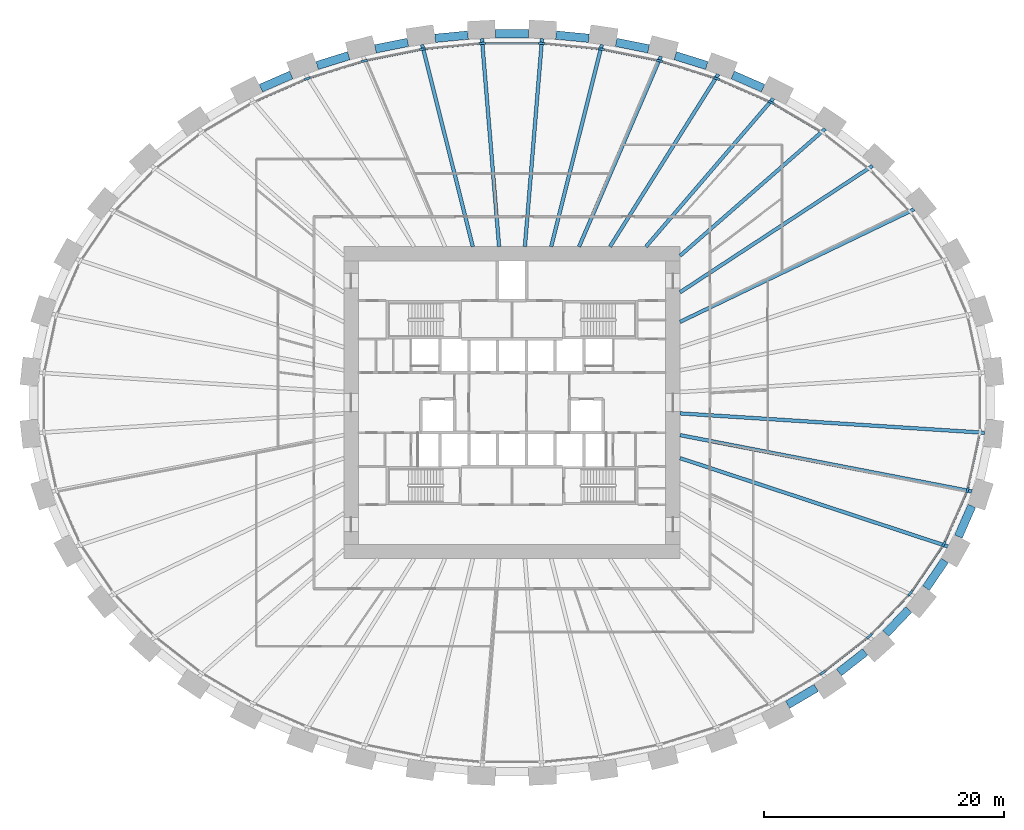
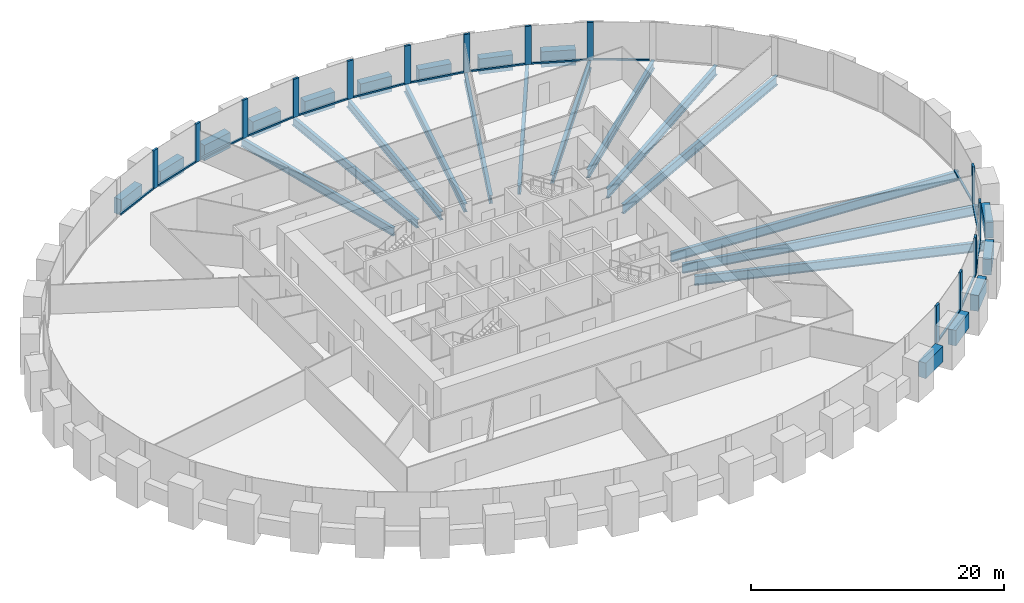
# One storey, part 3 of 11: 29 members, 27 beams, 1 element without a shape of its own.
"""IFC4 building model written with IfcOpenShell, lengths in metres."""

from ifc_helpers import new_model, si_unit, direction, frame, origin, origin_2d, place, context, subcontext, project, spatial, rectangle, i_section, extrude, source, transform, mapped, material, material_profile, profile_set, type_object, element, aggregate, save


model = new_model("IFC4")

# Units and contexts
model_context = context("Model", 3, precision=1e-05, world=origin(), true_north=direction((0.0, 1.0)))
body_context = subcontext(model_context, "Body", "Model", "MODEL_VIEW")
ifc_project = project(units=[si_unit("LENGTHUNIT", "METRE"), si_unit("AREAUNIT", "SQUARE_METRE"), si_unit("VOLUMEUNIT", "CUBIC_METRE"), si_unit("PLANEANGLEUNIT", "RADIAN"), si_unit("MASSUNIT", "GRAM", prefix="KILO")], contexts=[model_context])

# Site, building, storey
site_placement = place(None, origin())
site = spatial("IfcSite", under=ifc_project, at=site_placement, CompositionType="ELEMENT")
building_placement = place(site_placement, origin())
building = spatial("IfcBuilding", under=site, at=building_placement, Name="Embergate Tower", CompositionType="ELEMENT")
storey_placement = place(building_placement, frame((0.0, 0.0, 109.39990234375)))
storey = spatial("IfcBuildingStorey", under=building, at=storey_placement, Name="L23", CompositionType="ELEMENT", Elevation=109.39990234375)

# Beams
ifc_material_1 = material(Name="Concrete C70", Category="concrete")
ifc_material_profile_1 = material_profile(ifc_material_1, rectangle(XDim=0.699951171875, YDim=1.5, at=origin_2d()), Name="RC 700x1500")
ifc_profile_set_1 = profile_set([ifc_material_profile_1], Name="Concrete C70")
beam_type_1 = type_object("IfcBeamType", Name="Spandrel beam RC 700x1500 C70", PredefinedType="BEAM", material=ifc_profile_set_1)
shared_shape_1 = source(origin(), body_context, "Body", "SweptSolid", [
    extrude(rectangle(XDim=0.699951171875, YDim=1.5, at=origin_2d()), origin(), (0.0, 0.0, 1.0), 2.78564453125),
])
beam_1_placement = place(storey_placement, frame((37.193115234375, -11.14892578125, 0.0), z_axis=(0.401669232295, 0.915784815242, 0.0), x_axis=(-0.915784815242, 0.401669232295, 0.0)))
element("IfcBeam", 1, at=beam_1_placement, inside=storey, type_object=beam_type_1, Name="SPN-L23-41", PredefinedType="BEAM", context=body_context, shape_type="MappedRepresentation", body=[
    mapped(shared_shape_1, transform((0.0, 0.0, 0.0))),
])
shared_shape_2 = source(origin(), body_context, "Body", "SweptSolid", [
    extrude(rectangle(XDim=0.699951171875, YDim=1.5, at=origin_2d()), origin(), (0.0, 0.0, 1.0), 2.775634765625),
])
beam_2_placement = place(storey_placement, frame((34.5009765625, -15.447021484375, 0.0), z_axis=(0.562430313872, 0.826844690397, 0.0), x_axis=(-0.826844690397, 0.562430313872, 0.0)))
element("IfcBeam", 2, at=beam_2_placement, inside=storey, type_object=beam_type_1, Name="SPN-L23-40", PredefinedType="BEAM", context=body_context, shape_type="MappedRepresentation", body=[
    mapped(shared_shape_2, transform((0.0, 0.0, 0.0))),
])
shared_shape_3 = source(origin(), body_context, "Body", "SweptSolid", [
    extrude(rectangle(XDim=0.699951171875, YDim=1.5, at=origin_2d()), origin(), (0.0, 0.0, 1.0), 2.770263671875),
])
beam_3_placement = place(storey_placement, frame((31.14404296875, -19.241943359375, 0.0), z_axis=(0.690119345663, 0.723695577395, 0.0), x_axis=(-0.723695577395, 0.690119345663, 0.0)))
element("IfcBeam", 3, at=beam_3_placement, inside=storey, type_object=beam_type_1, Name="SPN-L23-39", PredefinedType="BEAM", context=body_context, shape_type="MappedRepresentation", body=[
    mapped(shared_shape_3, transform((0.0, 0.0, 0.0))),
])
shared_shape_4 = source(origin(), body_context, "Body", "SweptSolid", [
    extrude(rectangle(XDim=0.699951171875, YDim=1.5, at=origin_2d()), origin(), (0.0, 0.0, 1.0), 2.762939453125),
])
beam_4_placement = place(storey_placement, frame((27.248046875, -22.470947265625, 0.0), z_axis=(0.788304284462, 0.615285588242, 0.0), x_axis=(-0.615285588242, 0.788304284462, 0.0)))
element("IfcBeam", 4, at=beam_4_placement, inside=storey, type_object=beam_type_1, Name="SPN-L23-38", PredefinedType="BEAM", context=body_context, shape_type="MappedRepresentation", body=[
    mapped(shared_shape_4, transform((0.0, 0.0, 0.0))),
])
shared_shape_5 = source(origin(), body_context, "Body", "SweptSolid", [
    extrude(rectangle(XDim=0.699951171875, YDim=1.5, at=origin_2d()), origin(), (0.0, 0.0, 1.0), 2.758544921875),
])
beam_5_placement = place(storey_placement, frame((22.968017578125, -25.162109375, 0.0), z_axis=(0.862027482261, 0.506861539108, 0.0), x_axis=(-0.506861539108, 0.862027482261, 0.0)))
element("IfcBeam", 5, at=beam_5_placement, inside=storey, type_object=beam_type_1, Name="SPN-L23-37", PredefinedType="BEAM", context=body_context, shape_type="MappedRepresentation", body=[
    mapped(shared_shape_5, transform((0.0, 0.0, 0.0))),
])
shared_shape_6 = source(origin(), body_context, "Body", "SweptSolid", [
    extrude(rectangle(XDim=0.699951171875, YDim=1.5, at=origin_2d()), origin(), (0.0, 0.0, 1.0), 2.75537109375),
])
for number, where, z_axis, x_axis, name in (
    (6, (20.9189453125, 26.2080078125, 0.0), (-0.916372764163, 0.400326063478, 0.0), (-0.400326063478, -0.916372764163, 0.0), "SPN-L23-06"),
    (7, (-18.39404296875, 27.31103515625, 0.0), (-0.916372764163, -0.400326063478, 0.0), (0.400326063478, -0.916372764163, 0.0), "SPN-L23-14"),
):
    element("IfcBeam", number, at=place(storey_placement, frame(where, z_axis=z_axis, x_axis=x_axis)), inside=storey, type_object=beam_type_1, Name=name, PredefinedType="BEAM", context=body_context, shape_type="MappedRepresentation", body=[
        mapped(shared_shape_6, transform((0.0, 0.0, 0.0))),
    ])
shared_shape_7 = source(origin(), body_context, "Body", "SweptSolid", [
    extrude(rectangle(XDim=0.699951171875, YDim=1.5, at=origin_2d()), origin(), (0.0, 0.0, 1.0), 2.750732421875),
])
for number, where, z_axis, x_axis, name in (
    (8, (16.23193359375, 28.095947265625, 0.0), (-0.954637769475, 0.297769590609, 0.0), (-0.297769590609, -0.954637769475, 0.0), "SPN-L23-07"),
    (9, (-13.60595703125, 28.9150390625, 0.0), (-0.954637769475, -0.297769590609, 0.0), (0.297769590609, -0.954637769475, 0.0), "SPN-L23-13"),
):
    element("IfcBeam", number, at=place(storey_placement, frame(where, z_axis=z_axis, x_axis=x_axis)), inside=storey, type_object=beam_type_1, Name=name, PredefinedType="BEAM", context=body_context, shape_type="MappedRepresentation", body=[
        mapped(shared_shape_7, transform((0.0, 0.0, 0.0))),
    ])
shared_shape_8 = source(origin(), body_context, "Body", "SweptSolid", [
    extrude(rectangle(XDim=0.699951171875, YDim=1.5, at=origin_2d()), origin(), (0.0, 0.0, 1.0), 2.749755859375),
])
for number, where, z_axis, x_axis, name in (
    (10, (11.376953125, 29.48291015625, 0.0), (-0.98045412413, 0.196747834743, 0.0), (-0.196747834743, -0.98045412413, 0.0), "SPN-L23-08"),
    (11, (-8.680908203125, 30.02392578125, 0.0), (-0.98045412413, -0.196747834743, 0.0), (0.196747834743, -0.98045412413, 0.0), "SPN-L23-12"),
):
    element("IfcBeam", number, at=place(storey_placement, frame(where, z_axis=z_axis, x_axis=x_axis)), inside=storey, type_object=beam_type_1, Name=name, PredefinedType="BEAM", context=body_context, shape_type="MappedRepresentation", body=[
        mapped(shared_shape_8, transform((0.0, 0.0, 0.0))),
    ])
shared_shape_9 = source(origin(), body_context, "Body", "SweptSolid", [
    extrude(rectangle(XDim=0.699951171875, YDim=1.5, at=origin_2d()), origin(), (0.0, 0.0, 1.0), 2.748291015625),
])
for number, where, z_axis, x_axis, name in (
    (12, (6.406005859375, 30.363037109375, 0.0), (-0.995196843386, 0.097894039223, 0.0), (-0.097894039223, -0.995196843386, 0.0), "SPN-L23-09"),
    (13, (-3.6708984375, 30.632080078125, 0.0), (-0.995196843386, -0.097894039223, 0.0), (0.097894039223, -0.995196843386, 0.0), "SPN-L23-11"),
):
    element("IfcBeam", number, at=place(storey_placement, frame(where, z_axis=z_axis, x_axis=x_axis)), inside=storey, type_object=beam_type_1, Name=name, PredefinedType="BEAM", context=body_context, shape_type="MappedRepresentation", body=[
        mapped(shared_shape_9, transform((0.0, 0.0, 0.0))),
    ])
shared_shape_10 = source(origin(), body_context, "Body", "SweptSolid", [
    extrude(rectangle(XDim=0.699951171875, YDim=1.5, at=origin_2d()), origin(), (0.0, 0.0, 1.0), 2.748046875),
])
beam_6_placement = place(storey_placement, frame((1.3740234375, 30.7451171875, 0.0), z_axis=(-1.0, 0.0, 0.0), x_axis=(0.0, -1.0, 0.0)))
element("IfcBeam", 14, at=beam_6_placement, inside=storey, type_object=beam_type_1, Name="SPN-L23-10", PredefinedType="BEAM", context=body_context, shape_type="MappedRepresentation", body=[
    mapped(shared_shape_10, transform((0.0, 0.0, 0.0))),
])
ifc_material_2 = material(Name="Steel Q355B", Category="steel")
ifc_material_profile_2 = material_profile(ifc_material_2, i_section(OverallWidth=0.300048828125, OverallDepth=0.89990234375, WebThickness=0.01611328125, FlangeThickness=0.028076171875, FilletRadius=0.028076171875, at=origin_2d()), Name="HN 900x300x16x28")
ifc_profile_set_2 = profile_set([ifc_material_profile_2], Name="Steel Q355 grade B")
beam_type_2 = type_object("IfcBeamType", Name="Radial girder HN 900x300x16x28", PredefinedType="BEAM", material=ifc_profile_set_2)
shared_shape_11 = source(origin(), body_context, "Body", "SweptSolid", [
    extrude(i_section(OverallWidth=0.300048828125, OverallDepth=0.89990234375, WebThickness=0.01611328125, FlangeThickness=0.028076171875, FilletRadius=0.028076171875, at=origin_2d()), origin(), (0.0, 0.0, 1.0), 25.43115234375),
])
beam_7_placement = place(storey_placement, frame((39.3798828125, -2.501953125, -0.64990234375), z_axis=(-0.997986432318, 0.063427761344, 0.0), x_axis=(-0.063427761344, -0.997986432318, 0.0)))
element("IfcBeam", 15, at=beam_7_placement, inside=storey, type_object=beam_type_2, Name="GIR-L23-43", PredefinedType="BEAM", context=body_context, shape_type="MappedRepresentation", body=[
    mapped(shared_shape_11, transform((0.0, 0.0, 0.0))),
])
shared_shape_12 = source(origin(), body_context, "Body", "SweptSolid", [
    extrude(i_section(OverallWidth=0.300048828125, OverallDepth=0.89990234375, WebThickness=0.01611328125, FlangeThickness=0.028076171875, FilletRadius=0.028076171875, at=origin_2d()), origin(), (0.0, 0.0, 1.0), 24.775390625),
])
beam_8_placement = place(storey_placement, frame((38.326904296875, -7.39404296875, -0.64990234375), z_axis=(-0.981895013442, 0.189425929, 0.0), x_axis=(-0.189425929, -0.981895013442, 0.0)))
element("IfcBeam", 16, at=beam_8_placement, inside=storey, type_object=beam_type_2, Name="GIR-L23-42", PredefinedType="BEAM", context=body_context, shape_type="MappedRepresentation", body=[
    mapped(shared_shape_12, transform((0.0, 0.0, 0.0))),
])
shared_shape_13 = source(origin(), body_context, "Body", "SweptSolid", [
    extrude(i_section(OverallWidth=0.300048828125, OverallDepth=0.89990234375, WebThickness=0.01611328125, FlangeThickness=0.028076171875, FilletRadius=0.028076171875, at=origin_2d()), origin(), (0.0, 0.0, 1.0), 23.499267578125),
])
beam_9_placement = place(storey_placement, frame((36.31689453125, -11.97705078125, -0.64990234375), z_axis=(-0.949685213061, 0.31320599626, 0.0), x_axis=(-0.31320599626, -0.949685213061, 0.0)))
element("IfcBeam", 17, at=beam_9_placement, inside=storey, type_object=beam_type_2, Name="GIR-L23-41", PredefinedType="BEAM", context=body_context, shape_type="MappedRepresentation", body=[
    mapped(shared_shape_13, transform((0.0, 0.0, 0.0))),
])
shared_shape_14 = source(origin(), body_context, "Body", "SweptSolid", [
    extrude(i_section(OverallWidth=0.300048828125, OverallDepth=0.89990234375, WebThickness=0.01611328125, FlangeThickness=0.028076171875, FilletRadius=0.028076171875, at=origin_2d()), origin(), (0.0, 0.0, 1.0), 21.641357421875),
])
beam_10_placement = place(storey_placement, frame((33.501953125, 16.116943359375, -0.64990234375), z_axis=(-0.901145989674, -0.433515749765, 0.0), x_axis=(0.433515749765, -0.901145989674, 0.0)))
element("IfcBeam", 18, at=beam_10_placement, inside=storey, type_object=beam_type_2, Name="GIR-L23-03", PredefinedType="BEAM", context=body_context, shape_type="MappedRepresentation", body=[
    mapped(shared_shape_14, transform((0.0, 0.0, 0.0))),
])
shared_shape_15 = source(origin(), body_context, "Body", "SweptSolid", [
    extrude(i_section(OverallWidth=0.300048828125, OverallDepth=0.89990234375, WebThickness=0.01611328125, FlangeThickness=0.028076171875, FilletRadius=0.028076171875, at=origin_2d()), origin(), (0.0, 0.0, 1.0), 19.19970703125),
])
beam_11_placement = place(storey_placement, frame((30.0458984375, 19.741943359375, -0.64990234375), z_axis=(-0.835740827345, -0.549124092996, 0.0), x_axis=(0.549124092996, -0.835740827345, 0.0)))
element("IfcBeam", 19, at=beam_11_placement, inside=storey, type_object=beam_type_2, Name="GIR-L23-04", PredefinedType="BEAM", context=body_context, shape_type="MappedRepresentation", body=[
    mapped(shared_shape_15, transform((0.0, 0.0, 0.0))),
])
ifc_material_profile_3 = material_profile(ifc_material_2, i_section(OverallWidth=0.300048828125, OverallDepth=0.800048828125, WebThickness=0.013916015625, FlangeThickness=0.02587890625, FilletRadius=0.028076171875, at=origin_2d()), Name="HN 800x300x14x26")
ifc_profile_set_3 = profile_set([ifc_material_profile_3], Name="Steel Q355 grade B")
beam_type_3 = type_object("IfcBeamType", Name="Radial girder HN 800x300x14x26", PredefinedType="BEAM", material=ifc_profile_set_3)
shared_shape_16 = source(origin(), body_context, "Body", "SweptSolid", [
    extrude(i_section(OverallWidth=0.300048828125, OverallDepth=0.800048828125, WebThickness=0.013916015625, FlangeThickness=0.02587890625, FilletRadius=0.028076171875, at=origin_2d()), origin(), (0.0, 0.0, 1.0), 16.071533203125),
])
beam_12_placement = place(storey_placement, frame((26.097900390625, 22.822998046875, -0.599853515625), z_axis=(-0.752748875992, -0.658307777329, 0.0), x_axis=(0.658307777329, -0.752748875992, 0.0)))
element("IfcBeam", 20, at=beam_12_placement, inside=storey, type_object=beam_type_3, Name="GIR-L23-05", PredefinedType="BEAM", context=body_context, shape_type="MappedRepresentation", body=[
    mapped(shared_shape_16, transform((0.0, 0.0, 0.0))),
])
shared_shape_17 = source(origin(), body_context, "Body", "SweptSolid", [
    extrude(i_section(OverallWidth=0.300048828125, OverallDepth=0.800048828125, WebThickness=0.013916015625, FlangeThickness=0.02587890625, FilletRadius=0.028076171875, at=origin_2d()), origin(), (0.0, 0.0, 1.0), 16.294677734375),
])
beam_13_placement = place(storey_placement, frame((21.779052734375, 25.362060546875, -0.599853515625), z_axis=(-0.651495635829, -0.758652381856, 0.0), x_axis=(0.758652381856, -0.651495635829, 0.0)))
element("IfcBeam", 21, at=beam_13_placement, inside=storey, type_object=beam_type_3, Name="GIR-L23-06", PredefinedType="BEAM", context=body_context, shape_type="MappedRepresentation", body=[
    mapped(shared_shape_17, transform((0.0, 0.0, 0.0))),
])
shared_shape_18 = source(origin(), body_context, "Body", "SweptSolid", [
    extrude(i_section(OverallWidth=0.300048828125, OverallDepth=0.800048828125, WebThickness=0.013916015625, FlangeThickness=0.02587890625, FilletRadius=0.028076171875, at=origin_2d()), origin(), (0.0, 0.0, 1.0), 16.968017578125),
])
beam_14_placement = place(storey_placement, frame((17.18896484375, 27.368896484375, -0.599853515625), z_axis=(-0.53187684388, -0.846821718513, 0.0), x_axis=(0.846821718513, -0.53187684388, 0.0)))
element("IfcBeam", 22, at=beam_14_placement, inside=storey, type_object=beam_type_3, Name="GIR-L23-07", PredefinedType="BEAM", context=body_context, shape_type="MappedRepresentation", body=[
    mapped(shared_shape_18, transform((0.0, 0.0, 0.0))),
])
shared_shape_19 = source(origin(), body_context, "Body", "SweptSolid", [
    extrude(i_section(OverallWidth=0.300048828125, OverallDepth=0.800048828125, WebThickness=0.013916015625, FlangeThickness=0.02587890625, FilletRadius=0.028076171875, at=origin_2d()), origin(), (0.0, 0.0, 1.0), 17.261962890625),
])
beam_15_placement = place(storey_placement, frame((12.405029296875, 28.85888671875, -0.599853515625), z_axis=(-0.394921038266, -0.918715066566, 0.0), x_axis=(0.918715066566, -0.394921038266, 0.0)))
element("IfcBeam", 23, at=beam_15_placement, inside=storey, type_object=beam_type_3, Name="GIR-L23-08", PredefinedType="BEAM", context=body_context, shape_type="MappedRepresentation", body=[
    mapped(shared_shape_19, transform((0.0, 0.0, 0.0))),
])
shared_shape_20 = source(origin(), body_context, "Body", "SweptSolid", [
    extrude(i_section(OverallWidth=0.300048828125, OverallDepth=0.800048828125, WebThickness=0.013916015625, FlangeThickness=0.02587890625, FilletRadius=0.028076171875, at=origin_2d()), origin(), (0.0, 0.0, 1.0), 17.36669921875),
])
for number, where, z_axis, x_axis, name in (
    (24, (7.491943359375, 29.843994140625, -0.599853515625), (-0.243511287378, -0.969898063159, 0.0), (0.969898063159, -0.243511287378, 0.0), "GIR-L23-09"),
    (25, (-7.491943359375, 29.843994140625, -0.599853515625), (0.243511287378, -0.969898063159, 0.0), (0.969898063159, 0.243511287378, 0.0), "GIR-L23-12"),
):
    element("IfcBeam", number, at=place(storey_placement, frame(where, z_axis=z_axis, x_axis=x_axis)), inside=storey, type_object=beam_type_3, Name=name, PredefinedType="BEAM", context=body_context, shape_type="MappedRepresentation", body=[
        mapped(shared_shape_20, transform((0.0, 0.0, 0.0))),
    ])
shared_shape_21 = source(origin(), body_context, "Body", "SweptSolid", [
    extrude(i_section(OverallWidth=0.300048828125, OverallDepth=0.800048828125, WebThickness=0.013916015625, FlangeThickness=0.02587890625, FilletRadius=0.028076171875, at=origin_2d()), origin(), (0.0, 0.0, 1.0), 17.393798828125),
])
for number, where, z_axis, x_axis, name in (
    (26, (2.5048828125, 30.3349609375, -0.599853515625), (-0.082264860463, -0.996610502018, 0.0), (0.996610502018, -0.082264860463, 0.0), "GIR-L23-10"),
    (27, (-2.5048828125, 30.3349609375, -0.599853515625), (0.082264860463, -0.996610502018, 0.0), (0.996610502018, 0.082264860463, 0.0), "GIR-L23-11"),
):
    element("IfcBeam", number, at=place(storey_placement, frame(where, z_axis=z_axis, x_axis=x_axis)), inside=storey, type_object=beam_type_3, Name=name, PredefinedType="BEAM", context=body_context, shape_type="MappedRepresentation", body=[
        mapped(shared_shape_21, transform((0.0, 0.0, 0.0))),
    ])

# Curtain wall, members
ifc_material_3 = material(Name="Aluminium and glass", Category="aluminium")
curtain_wall_type = type_object("IfcCurtainWallType", Name="Recessed office glazing", PredefinedType="NOTDEFINED", material=ifc_material_3)
curtain_wall_placement = place(storey_placement, origin())
curtain_wall = element("IfcCurtainWall", 28, at=curtain_wall_placement, inside=storey, type_object=curtain_wall_type, Name="Recessed office glazing ring", ObjectType="RECESSED OFFICE GLAZING", PredefinedType="USERDEFINED")
ifc_material_4 = material(Name="Aluminium, thermally broken", Category="aluminium")
ifc_material_profile_4 = material_profile(ifc_material_4, rectangle(XDim=0.179931640625, YDim=0.52001953125, at=origin_2d()), Name="AL 520x180")
ifc_profile_set_4 = profile_set([ifc_material_profile_4], Name="Aluminium, thermally broken")
member_type_1 = type_object("IfcMemberType", Name="Office mullion", PredefinedType="MULLION", material=ifc_profile_set_4)
shared_shape_22 = source(origin(), body_context, "Body", "SweptSolid", [
    extrude(rectangle(XDim=0.179931640625, YDim=0.52001953125, at=origin_2d()), origin(), (0.0, 0.0, 1.0), 3.7001953125),
])
member_1_placement = place(storey_placement, frame((21.602294921875, 25.014404296875, 0.0), z_axis=(0.0, 0.0, 1.0), x_axis=(-0.454520708319, -0.890736170653, 0.0)))
member_1 = element("IfcMember", 29, at=member_1_placement, type_object=member_type_1, Name="CW mullion 7", PredefinedType="MULLION", context=body_context, shape_type="MappedRepresentation", body=[
    mapped(shared_shape_22, transform((0.0, 0.0, 0.0))),
])
member_2_placement = place(storey_placement, frame((17.052734375, 27.00390625, 0.0), z_axis=(0.0, 0.0, 1.0), x_axis=(-0.349510859141, -0.936932313106, 0.0)))
member_2 = element("IfcMember", 30, at=member_2_placement, type_object=member_type_1, Name="CW mullion 8", PredefinedType="MULLION", context=body_context, shape_type="MappedRepresentation", body=[
    mapped(shared_shape_22, transform((0.0, 0.0, 0.0))),
])
member_3_placement = place(storey_placement, frame((12.30859375, 28.481201171875, 0.0), z_axis=(0.0, 0.0, 1.0), x_axis=(-0.247316954703, -0.968934633459, 0.0)))
member_3 = element("IfcMember", 31, at=member_3_placement, type_object=member_type_1, Name="CW mullion 9", PredefinedType="MULLION", context=body_context, shape_type="MappedRepresentation", body=[
    mapped(shared_shape_22, transform((0.0, 0.0, 0.0))),
])
member_4_placement = place(storey_placement, frame((7.434814453125, 29.458984375, 0.0), z_axis=(0.0, 0.0, 1.0), x_axis=(-0.147415835341, -0.989074603602, 0.0)))
member_4 = element("IfcMember", 32, at=member_4_placement, type_object=member_type_1, Name="CW mullion 10", PredefinedType="MULLION", context=body_context, shape_type="MappedRepresentation", body=[
    mapped(shared_shape_22, transform((0.0, 0.0, 0.0))),
])
member_5_placement = place(storey_placement, frame((2.486328125, 29.9453125, 0.0), z_axis=(0.0, 0.0, 1.0), x_axis=(-0.048971796621, -0.998800161762, 0.0)))
member_5 = element("IfcMember", 33, at=member_5_placement, type_object=member_type_1, Name="CW mullion 11", PredefinedType="MULLION", context=body_context, shape_type="MappedRepresentation", body=[
    mapped(shared_shape_22, transform((0.0, 0.0, 0.0))),
])
member_6_placement = place(storey_placement, frame((-2.486328125, 29.9453125, 0.0), z_axis=(0.0, 0.0, 1.0), x_axis=(0.048971796621, -0.998800161762, 0.0)))
member_6 = element("IfcMember", 34, at=member_6_placement, type_object=member_type_1, Name="CW mullion 12", PredefinedType="MULLION", context=body_context, shape_type="MappedRepresentation", body=[
    mapped(shared_shape_22, transform((0.0, 0.0, 0.0))),
])
member_7_placement = place(storey_placement, frame((-7.434814453125, 29.458984375, 0.0), z_axis=(0.0, 0.0, 1.0), x_axis=(0.147415835341, -0.989074603602, 0.0)))
member_7 = element("IfcMember", 35, at=member_7_placement, type_object=member_type_1, Name="CW mullion 13", PredefinedType="MULLION", context=body_context, shape_type="MappedRepresentation", body=[
    mapped(shared_shape_22, transform((0.0, 0.0, 0.0))),
])
member_8_placement = place(storey_placement, frame((-12.30859375, 28.481201171875, 0.0), z_axis=(0.0, 0.0, 1.0), x_axis=(0.247316954703, -0.968934633459, 0.0)))
member_8 = element("IfcMember", 36, at=member_8_placement, type_object=member_type_1, Name="CW mullion 14", PredefinedType="MULLION", context=body_context, shape_type="MappedRepresentation", body=[
    mapped(shared_shape_22, transform((0.0, 0.0, 0.0))),
])
member_9_placement = place(storey_placement, frame((-17.052734375, 27.00390625, 0.0), z_axis=(0.0, 0.0, 1.0), x_axis=(0.349510859141, -0.936932313106, 0.0)))
member_9 = element("IfcMember", 37, at=member_9_placement, type_object=member_type_1, Name="CW mullion 15", PredefinedType="MULLION", context=body_context, shape_type="MappedRepresentation", body=[
    mapped(shared_shape_22, transform((0.0, 0.0, 0.0))),
])
member_10_placement = place(storey_placement, frame((25.87890625, -22.5, 0.0), z_axis=(0.0, 0.0, 1.0), x_axis=(-0.562227722082, 0.826982459622, 0.0)))
member_10 = element("IfcMember", 38, at=member_10_placement, type_object=member_type_1, Name="CW mullion 39", PredefinedType="MULLION", context=body_context, shape_type="MappedRepresentation", body=[
    mapped(shared_shape_22, transform((0.0, 0.0, 0.0))),
])
member_11_placement = place(storey_placement, frame((29.784912109375, -19.451416015625, 0.0), z_axis=(0.0, 0.0, 1.0), x_axis=(-0.671238177437, 0.741241734626, 0.0)))
member_11 = element("IfcMember", 39, at=member_11_placement, type_object=member_type_1, Name="CW mullion 40", PredefinedType="MULLION", context=body_context, shape_type="MappedRepresentation", body=[
    mapped(shared_shape_22, transform((0.0, 0.0, 0.0))),
])
member_12_placement = place(storey_placement, frame((33.19921875, -15.87109375, 0.0), z_axis=(0.0, 0.0, 1.0), x_axis=(-0.777883532271, 0.628408474022, 0.0)))
member_12 = element("IfcMember", 40, at=member_12_placement, type_object=member_type_1, Name="CW mullion 41", PredefinedType="MULLION", context=body_context, shape_type="MappedRepresentation", body=[
    mapped(shared_shape_22, transform((0.0, 0.0, 0.0))),
])
member_13_placement = place(storey_placement, frame((35.9765625, -11.787353515625, 0.0), z_axis=(0.0, 0.0, 1.0), x_axis=(-0.875009500255, 0.484105747191, 0.0)))
member_13 = element("IfcMember", 41, at=member_13_placement, type_object=member_type_1, Name="CW mullion 42", PredefinedType="MULLION", context=body_context, shape_type="MappedRepresentation", body=[
    mapped(shared_shape_22, transform((0.0, 0.0, 0.0))),
])
member_14_placement = place(storey_placement, frame((37.95654296875, -7.272705078125, 0.0), z_axis=(0.0, 0.0, 1.0), x_axis=(-0.951501556643, 0.307643930065, 0.0)))
member_14 = element("IfcMember", 42, at=member_14_placement, type_object=member_type_1, Name="CW mullion 43", PredefinedType="MULLION", context=body_context, shape_type="MappedRepresentation", body=[
    mapped(shared_shape_22, transform((0.0, 0.0, 0.0))),
])
ifc_material_profile_5 = material_profile(ifc_material_4, rectangle(XDim=0.179931640625, YDim=0.14990234375, at=origin_2d()), Name="AL 150x180")
ifc_profile_set_5 = profile_set([ifc_material_profile_5], Name="Aluminium, thermally broken")
member_type_2 = type_object("IfcMemberType", Name="Office sill transom", PredefinedType="USERDEFINED", material=ifc_profile_set_5)
shared_shape_23 = source(origin(), body_context, "Body", "SweptSolid", [
    extrude(rectangle(XDim=0.179931640625, YDim=0.14990234375, at=origin_2d()), origin(), (0.0, 0.0, 1.0), 4.40283203125),
])
member_15_placement = place(storey_placement, frame((38.01123046875, -7.018310546875, 0.0751953125), z_axis=(0.210384862648, 0.977618642196, 0.0), x_axis=(-0.977618642196, 0.210384862648, 0.0)))
member_15 = element("IfcMember", 43, at=member_15_placement, type_object=member_type_2, Name="CW transom 43.1", ObjectType="TRANSOM", PredefinedType="USERDEFINED", context=body_context, shape_type="MappedRepresentation", body=[
    mapped(shared_shape_23, transform((0.0, 0.0, 0.0))),
])
shared_shape_24 = source(origin(), body_context, "Body", "SweptSolid", [
    extrude(rectangle(XDim=0.179931640625, YDim=0.14990234375, at=origin_2d()), origin(), (0.0, 0.0, 1.0), 4.409912109375),
])
member_16_placement = place(storey_placement, frame((36.080810546875, -11.54931640625, 0.0751953125), z_axis=(0.401649276601, 0.915793567681, 0.0), x_axis=(-0.915793567681, 0.401649276601, 0.0)))
member_16 = element("IfcMember", 44, at=member_16_placement, type_object=member_type_2, Name="CW transom 42.1", ObjectType="TRANSOM", PredefinedType="USERDEFINED", context=body_context, shape_type="MappedRepresentation", body=[
    mapped(shared_shape_24, transform((0.0, 0.0, 0.0))),
])
shared_shape_25 = source(origin(), body_context, "Body", "SweptSolid", [
    extrude(rectangle(XDim=0.179931640625, YDim=0.14990234375, at=origin_2d()), origin(), (0.0, 0.0, 1.0), 4.41845703125),
])
member_17_placement = place(storey_placement, frame((33.345458984375, -15.656005859375, 0.0751953125), z_axis=(0.562314555327, 0.826923418986, 0.0), x_axis=(-0.826923418986, 0.562314555327, 0.0)))
member_17 = element("IfcMember", 45, at=member_17_placement, type_object=member_type_2, Name="CW transom 41.1", ObjectType="TRANSOM", PredefinedType="USERDEFINED", context=body_context, shape_type="MappedRepresentation", body=[
    mapped(shared_shape_25, transform((0.0, 0.0, 0.0))),
])
shared_shape_26 = source(origin(), body_context, "Body", "SweptSolid", [
    extrude(rectangle(XDim=0.179931640625, YDim=0.14990234375, at=origin_2d()), origin(), (0.0, 0.0, 1.0), 4.42724609375),
])
member_18_placement = place(storey_placement, frame((29.96435546875, -19.26318359375, 0.0751953125), z_axis=(0.690143848167, 0.723672210906, 0.0), x_axis=(-0.723672210906, 0.690143848167, 0.0)))
member_18 = element("IfcMember", 46, at=member_18_placement, type_object=member_type_2, Name="CW transom 40.1", ObjectType="TRANSOM", PredefinedType="USERDEFINED", context=body_context, shape_type="MappedRepresentation", body=[
    mapped(shared_shape_26, transform((0.0, 0.0, 0.0))),
])
shared_shape_27 = source(origin(), body_context, "Body", "SweptSolid", [
    extrude(rectangle(XDim=0.179931640625, YDim=0.14990234375, at=origin_2d()), origin(), (0.0, 0.0, 1.0), 4.434814453125),
])
member_19_placement = place(storey_placement, frame((26.083984375, -22.340087890625, 0.0751953125), z_axis=(0.788331413259, 0.615250829231, 0.0), x_axis=(-0.615250829231, 0.788331413259, 0.0)))
member_19 = element("IfcMember", 47, at=member_19_placement, type_object=member_type_2, Name="CW transom 39.1", ObjectType="TRANSOM", PredefinedType="USERDEFINED", context=body_context, shape_type="MappedRepresentation", body=[
    mapped(shared_shape_27, transform((0.0, 0.0, 0.0))),
])
shared_shape_28 = source(origin(), body_context, "Body", "SweptSolid", [
    extrude(rectangle(XDim=0.179931640625, YDim=0.14990234375, at=origin_2d()), origin(), (0.0, 0.0, 1.0), 4.441162109375),
])
member_20_placement = place(storey_placement, frame((25.65478515625, 22.6318359375, 0.0751953125), z_axis=(-0.862033122062, 0.506851947287, 0.0), x_axis=(-0.506851947287, -0.862033122062, 0.0)))
member_20 = element("IfcMember", 48, at=member_20_placement, type_object=member_type_2, Name="CW transom 6.1", ObjectType="TRANSOM", PredefinedType="USERDEFINED", context=body_context, shape_type="MappedRepresentation", body=[
    mapped(shared_shape_28, transform((0.0, 0.0, 0.0))),
])
shared_shape_29 = source(origin(), body_context, "Body", "SweptSolid", [
    extrude(rectangle(XDim=0.179931640625, YDim=0.14990234375, at=origin_2d()), origin(), (0.0, 0.0, 1.0), 4.4453125),
])
member_21_placement = place(storey_placement, frame((21.364013671875, 25.11865234375, 0.0751953125), z_axis=(-0.916234206369, 0.400643081907, 0.0), x_axis=(-0.400643081907, -0.916234206369, 0.0)))
member_21 = element("IfcMember", 49, at=member_21_placement, type_object=member_type_2, Name="CW transom 7.1", ObjectType="TRANSOM", PredefinedType="USERDEFINED", context=body_context, shape_type="MappedRepresentation", body=[
    mapped(shared_shape_29, transform((0.0, 0.0, 0.0))),
])
member_22_placement = place(storey_placement, frame((-17.291015625, 26.899658203125, 0.0751953125), z_axis=(-0.916234206369, -0.400643081907, 0.0), x_axis=(0.400643081907, -0.916234206369, 0.0)))
member_22 = element("IfcMember", 50, at=member_22_placement, type_object=member_type_2, Name="CW transom 15.1", ObjectType="TRANSOM", PredefinedType="USERDEFINED", context=body_context, shape_type="MappedRepresentation", body=[
    mapped(shared_shape_29, transform((0.0, 0.0, 0.0))),
])
shared_shape_30 = source(origin(), body_context, "Body", "SweptSolid", [
    extrude(rectangle(XDim=0.179931640625, YDim=0.14990234375, at=origin_2d()), origin(), (0.0, 0.0, 1.0), 4.448974609375),
])
member_23_placement = place(storey_placement, frame((16.8046875, 27.081298828125, 0.0751953125), z_axis=(-0.954779260894, 0.297315594892, 0.0), x_axis=(-0.297315594892, -0.954779260894, 0.0)))
member_23 = element("IfcMember", 51, at=member_23_placement, type_object=member_type_2, Name="CW transom 8.1", ObjectType="TRANSOM", PredefinedType="USERDEFINED", context=body_context, shape_type="MappedRepresentation", body=[
    mapped(shared_shape_30, transform((0.0, 0.0, 0.0))),
])
member_24_placement = place(storey_placement, frame((-12.556884765625, 28.404052734375, 0.0751953125), z_axis=(-0.954779260894, -0.297315594892, 0.0), x_axis=(0.297315594892, -0.954779260894, 0.0)))
member_24 = element("IfcMember", 52, at=member_24_placement, type_object=member_type_2, Name="CW transom 14.1", ObjectType="TRANSOM", PredefinedType="USERDEFINED", context=body_context, shape_type="MappedRepresentation", body=[
    mapped(shared_shape_30, transform((0.0, 0.0, 0.0))),
])
shared_shape_31 = source(origin(), body_context, "Body", "SweptSolid", [
    extrude(rectangle(XDim=0.179931640625, YDim=0.14990234375, at=origin_2d()), origin(), (0.0, 0.0, 1.0), 4.450927734375),
])
member_25_placement = place(storey_placement, frame((12.0537109375, 28.532470703125, 0.0751953125), z_axis=(-0.980475049714, 0.196643527453, 0.0), x_axis=(-0.196643527453, -0.980475049714, 0.0)))
member_25 = element("IfcMember", 53, at=member_25_placement, type_object=member_type_2, Name="CW transom 9.1", ObjectType="TRANSOM", PredefinedType="USERDEFINED", context=body_context, shape_type="MappedRepresentation", body=[
    mapped(shared_shape_31, transform((0.0, 0.0, 0.0))),
])
member_26_placement = place(storey_placement, frame((-7.689697265625, 29.40771484375, 0.0751953125), z_axis=(-0.980475049714, -0.196643527453, 0.0), x_axis=(0.196643527453, -0.980475049714, 0.0)))
member_26 = element("IfcMember", 54, at=member_26_placement, type_object=member_type_2, Name="CW transom 13.1", ObjectType="TRANSOM", PredefinedType="USERDEFINED", context=body_context, shape_type="MappedRepresentation", body=[
    mapped(shared_shape_31, transform((0.0, 0.0, 0.0))),
])
shared_shape_32 = source(origin(), body_context, "Body", "SweptSolid", [
    extrude(rectangle(XDim=0.179931640625, YDim=0.14990234375, at=origin_2d()), origin(), (0.0, 0.0, 1.0), 4.4521484375),
])
member_27_placement = place(storey_placement, frame((7.176025390625, 29.484375, 0.0751953125), z_axis=(-0.99520353902, 0.097825947083, 0.0), x_axis=(-0.097825947083, -0.99520353902, 0.0)))
member_27 = element("IfcMember", 55, at=member_27_placement, type_object=member_type_2, Name="CW transom 10.1", ObjectType="TRANSOM", PredefinedType="USERDEFINED", context=body_context, shape_type="MappedRepresentation", body=[
    mapped(shared_shape_32, transform((0.0, 0.0, 0.0))),
])
member_28_placement = place(storey_placement, frame((-2.7451171875, 29.919921875, 0.0751953125), z_axis=(-0.99520353902, -0.097825947083, 0.0), x_axis=(0.097825947083, -0.99520353902, 0.0)))
member_28 = element("IfcMember", 56, at=member_28_placement, type_object=member_type_2, Name="CW transom 12.1", ObjectType="TRANSOM", PredefinedType="USERDEFINED", context=body_context, shape_type="MappedRepresentation", body=[
    mapped(shared_shape_32, transform((0.0, 0.0, 0.0))),
])
shared_shape_33 = source(origin(), body_context, "Body", "SweptSolid", [
    extrude(rectangle(XDim=0.179931640625, YDim=0.14990234375, at=origin_2d()), origin(), (0.0, 0.0, 1.0), 4.45263671875),
])
member_29_placement = place(storey_placement, frame((2.226318359375, 29.9453125, 0.0751953125), z_axis=(-1.0, 0.0, 0.0), x_axis=(0.0, -1.0, 0.0)))
member_29 = element("IfcMember", 57, at=member_29_placement, type_object=member_type_2, Name="CW transom 11.1", ObjectType="TRANSOM", PredefinedType="USERDEFINED", context=body_context, shape_type="MappedRepresentation", body=[
    mapped(shared_shape_33, transform((0.0, 0.0, 0.0))),
])
aggregate(curtain_wall, [member_1, member_2, member_3, member_4, member_5, member_6, member_7, member_8, member_9, member_10, member_11, member_12, member_13, member_14, member_20, member_21, member_23, member_25, member_27, member_29, member_28, member_26, member_24, member_22, member_19, member_18, member_17, member_16, member_15])

save(model, "model.ifc")
